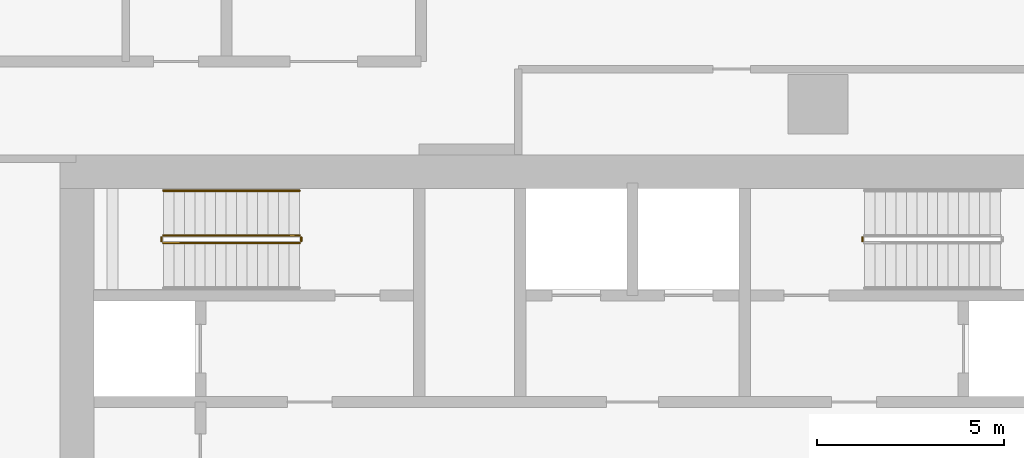
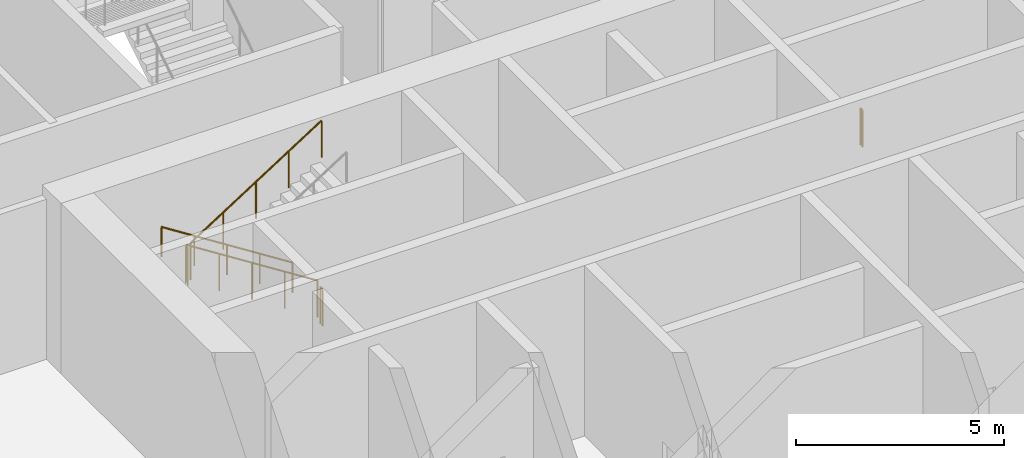
# One storey, part 24 of 35: 6 railings.
"""IFC4 building model written with IfcOpenShell, lengths in metres."""

from ifc_helpers import new_model, si_unit, direction, frame, origin, origin_2d, place, context, subcontext, project, spatial, circle, extrude, material, type_object, element, save


model = new_model("IFC4")

# Units and contexts
model_context = context("Model", 3, precision=1e-05, world=origin(), true_north=direction((0.0, 1.0)))
body_context = subcontext(model_context, "Body", "Model", "MODEL_VIEW")
ifc_project = project(units=[si_unit("LENGTHUNIT", "METRE"), si_unit("AREAUNIT", "SQUARE_METRE"), si_unit("VOLUMEUNIT", "CUBIC_METRE"), si_unit("PLANEANGLEUNIT", "RADIAN"), si_unit("MASSUNIT", "GRAM", prefix="KILO")], contexts=[model_context])

# Site, building, storey
site_placement = place(None, origin())
site = spatial("IfcSite", under=ifc_project, at=site_placement, CompositionType="ELEMENT")
building_placement = place(site_placement, origin())
building = spatial("IfcBuilding", under=site, at=building_placement, Name="Ogive Portal Towers", CompositionType="ELEMENT")
storey_placement = place(building_placement, frame((0.0, 0.0, 23.5)))
storey = spatial("IfcBuildingStorey", under=building, at=storey_placement, Name="L04", CompositionType="ELEMENT", Elevation=23.5)

# Railings
ifc_material_1 = material(Name="Stainless steel balustrade", Category="steel")
railing_type_1 = type_object("IfcRailingType", Name="INT-GUARD", PredefinedType="GUARDRAIL", material=ifc_material_1)
railing_1_placement = place(storey_placement, frame((37.449951171875, 37.800048828125, 0.178466796875)))
element("IfcRailing", 1, at=railing_1_placement, inside=storey, type_object=railing_type_1, Name="L04 ST-A1 stair guard 1", PredefinedType="GUARDRAIL", context=body_context, shape_type="SweptSolid", body=[
    extrude(circle(Radius=0.02392578125, at=origin_2d()), frame((0.0, 0.0, 1.076171875), z_axis=(-0.843111507901, 0.0, 0.53773877045), x_axis=(0.0, -1.0, 0.0)), (0.0, 0.0, 1.0), 4.317138671875),
    extrude(circle(Radius=0.02099609375, at=origin_2d()), origin(), (0.0, 0.0, 1.0), 1.052001953125),
    extrude(circle(Radius=0.02099609375, at=origin_2d()), frame((-0.909912109375, 0.0, 0.580322265625)), (0.0, 0.0, 1.0), 1.052001953125),
    extrude(circle(Radius=0.02099609375, at=origin_2d()), frame((-1.81982421875, 0.0, 1.16064453125)), (0.0, 0.0, 1.0), 1.052001953125),
    extrude(circle(Radius=0.02099609375, at=origin_2d()), frame((-2.72998046875, 0.0, 1.7412109375)), (0.0, 0.0, 1.0), 1.052001953125),
    extrude(circle(Radius=0.02099609375, at=origin_2d()), frame((-3.639892578125, 0.0, 2.321533203125)), (0.0, 0.0, 1.0), 1.052001953125),
])
railing_2_placement = place(storey_placement, frame((33.760009765625, 37.75, 2.5)))
element("IfcRailing", 2, at=railing_2_placement, inside=storey, type_object=railing_type_1, Name="L04 ST-A1 stair guard 2", PredefinedType="GUARDRAIL", context=body_context, shape_type="SweptSolid", body=[
    extrude(circle(Radius=0.02392578125, at=origin_2d()), frame((0.0, 0.0, 1.076171875), z_axis=(0.0, -1.0, 0.0), x_axis=(1.0, 0.0, 0.0)), (0.0, 0.0, 1.0), 0.10009765625),
    extrude(circle(Radius=0.02099609375, at=origin_2d()), origin(), (0.0, 0.0, 1.0), 1.052001953125),
    extrude(circle(Radius=0.02099609375, at=origin_2d()), frame((0.0, -0.10009765625, 0.0)), (0.0, 0.0, 1.0), 1.052001953125),
])
railing_3_placement = place(storey_placement, frame((33.81005859375, 37.60009765625, 2.678466796875)))
element("IfcRailing", 3, at=railing_3_placement, inside=storey, type_object=railing_type_1, Name="L04 ST-A1 stair guard 3", PredefinedType="GUARDRAIL", context=body_context, shape_type="SweptSolid", body=[
    extrude(circle(Radius=0.02392578125, at=origin_2d()), frame((0.0, 0.0, 1.076171875), z_axis=(0.843111507901, 0.0, 0.53773877045), x_axis=(0.0, 1.0, 0.0)), (0.0, 0.0, 1.0), 4.317138671875),
    extrude(circle(Radius=0.02099609375, at=origin_2d()), origin(), (0.0, 0.0, 1.0), 1.052001953125),
    extrude(circle(Radius=0.02099609375, at=origin_2d()), frame((0.909912109375, 0.0, 0.580322265625)), (0.0, 0.0, 1.0), 1.052001953125),
    extrude(circle(Radius=0.02099609375, at=origin_2d()), frame((1.81982421875, 0.0, 1.16064453125)), (0.0, 0.0, 1.0), 1.052001953125),
    extrude(circle(Radius=0.02099609375, at=origin_2d()), frame((2.72998046875, 0.0, 1.7412109375)), (0.0, 0.0, 1.0), 1.052001953125),
    extrude(circle(Radius=0.02099609375, at=origin_2d()), frame((3.639892578125, 0.0, 2.321533203125)), (0.0, 0.0, 1.0), 1.052001953125),
])
railing_4_placement = place(storey_placement, frame((37.5, 37.75, 0.0)))
element("IfcRailing", 4, at=railing_4_placement, inside=storey, type_object=railing_type_1, Name="L04 ST-A1 stair guard 4", PredefinedType="GUARDRAIL", context=body_context, shape_type="SweptSolid", body=[
    extrude(circle(Radius=0.02392578125, at=origin_2d()), frame((0.0, 0.0, 1.076171875), z_axis=(0.0, -1.0, 0.0), x_axis=(1.0, 0.0, 0.0)), (0.0, 0.0, 1.0), 0.10009765625),
    extrude(circle(Radius=0.02099609375, at=origin_2d()), origin(), (0.0, 0.0, 1.0), 1.052001953125),
    extrude(circle(Radius=0.02099609375, at=origin_2d()), frame((0.0, -0.10009765625, 0.0)), (0.0, 0.0, 1.0), 1.052001953125),
])
railing_5_placement = place(storey_placement, frame((52.5, 37.64990234375, 0.0)))
element("IfcRailing", 5, at=railing_5_placement, inside=storey, type_object=railing_type_1, Name="L04 ST-A2 stair guard 4", PredefinedType="GUARDRAIL", context=body_context, shape_type="SweptSolid", body=[
    extrude(circle(Radius=0.02392578125, at=origin_2d()), frame((0.0, 0.0, 1.076171875), z_axis=(0.0, 1.0, 0.0), x_axis=(-1.0, 0.0, 0.0)), (0.0, 0.0, 1.0), 0.10009765625),
    extrude(circle(Radius=0.02099609375, at=origin_2d()), origin(), (0.0, 0.0, 1.0), 1.052001953125),
    extrude(circle(Radius=0.02099609375, at=origin_2d()), frame((0.0, 0.10009765625, 0.0)), (0.0, 0.0, 1.0), 1.052001953125),
])
ifc_material_2 = material(Name="Stainless steel handrail", Category="steel")
railing_type_2 = type_object("IfcRailingType", Name="INT-HANDRAIL", PredefinedType="HANDRAIL", material=ifc_material_2)
railing_6_placement = place(storey_placement, frame((37.449951171875, 39.0, 0.178466796875)))
element("IfcRailing", 6, at=railing_6_placement, inside=storey, type_object=railing_type_2, Name="L04 ST-A1 stair handrail 1", PredefinedType="HANDRAIL", context=body_context, shape_type="SweptSolid", body=[
    extrude(circle(Radius=0.02392578125, at=origin_2d()), frame((0.0, 0.0, 0.8759765625), z_axis=(-0.843111507901, 0.0, 0.53773877045), x_axis=(0.0, -1.0, 0.0)), (0.0, 0.0, 1.0), 4.317138671875),
    extrude(circle(Radius=0.02099609375, at=origin_2d()), origin(), (0.0, 0.0, 1.0), 0.851806640625),
    extrude(circle(Radius=0.02099609375, at=origin_2d()), frame((-0.909912109375, 0.0, 0.580322265625)), (0.0, 0.0, 1.0), 0.851806640625),
    extrude(circle(Radius=0.02099609375, at=origin_2d()), frame((-1.81982421875, 0.0, 1.16064453125)), (0.0, 0.0, 1.0), 0.851806640625),
    extrude(circle(Radius=0.02099609375, at=origin_2d()), frame((-2.72998046875, 0.0, 1.7412109375)), (0.0, 0.0, 1.0), 0.851806640625),
    extrude(circle(Radius=0.02099609375, at=origin_2d()), frame((-3.639892578125, 0.0, 2.321533203125)), (0.0, 0.0, 1.0), 0.851806640625),
])

save(model, "model.ifc")
